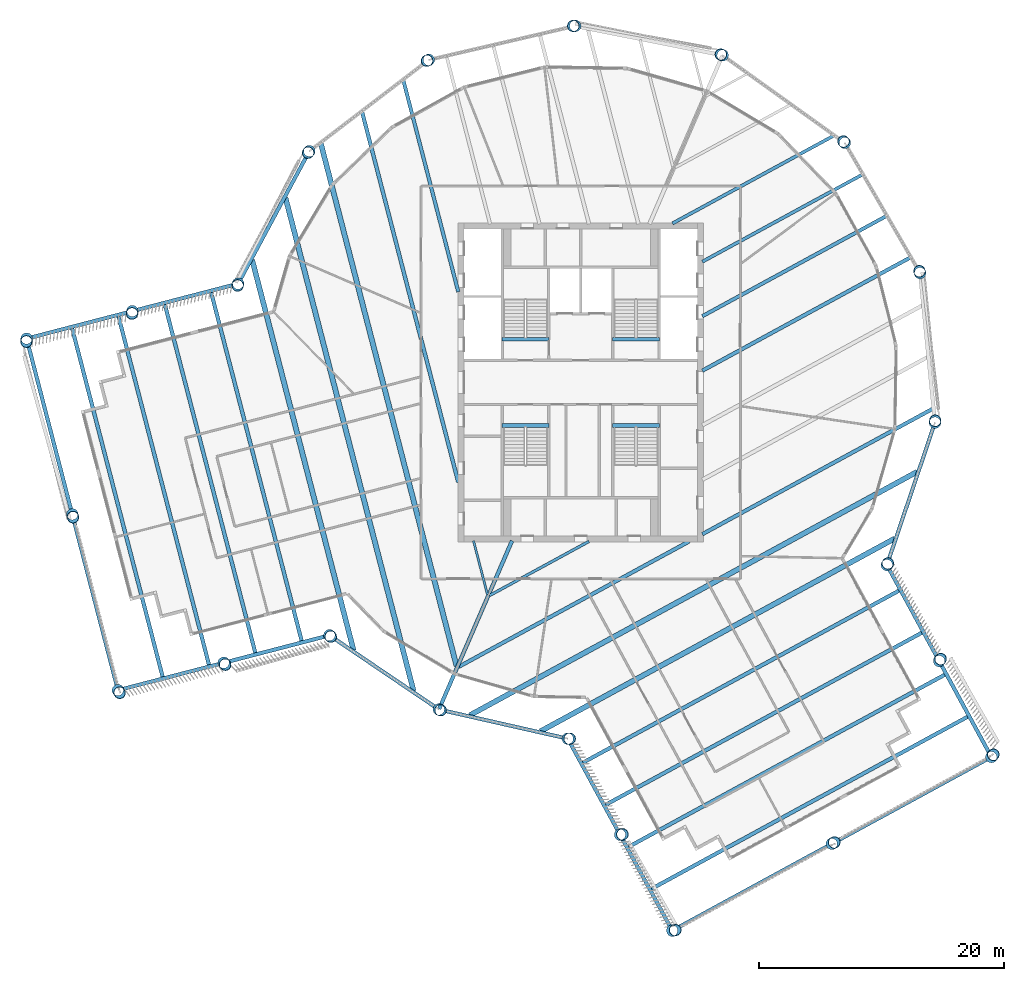
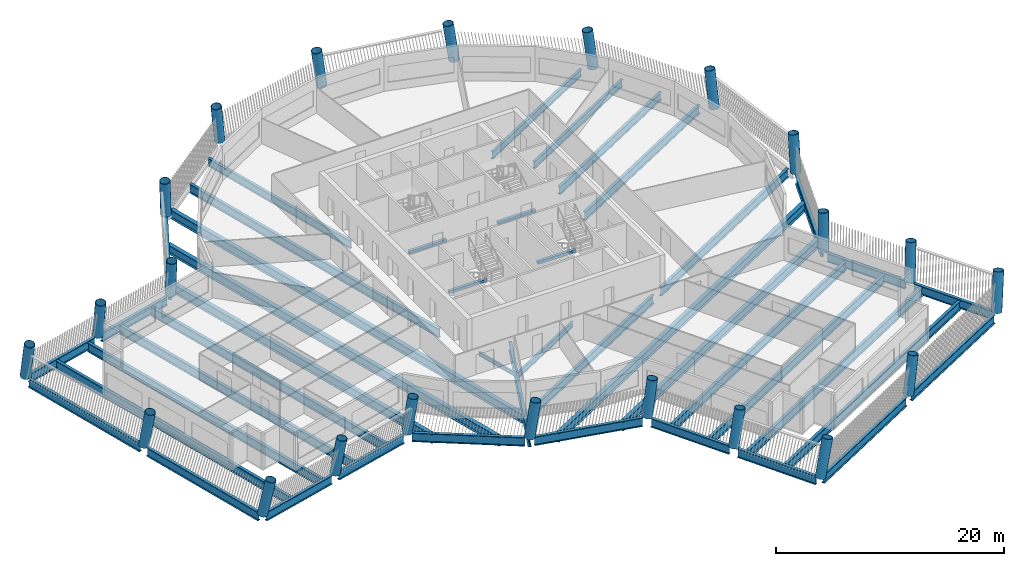
# One storey, part 1 of 14: 44 beams, 22 columns.
"""IFC4 building model written with IfcOpenShell, lengths in metres."""

from ifc_helpers import new_model, si_unit, direction, frame, origin, origin_2d, place, context, subcontext, project, spatial, rectangle, hollow_circle, i_section, extrude, material, material_profile, profile_set, type_object, element, save


model = new_model("IFC4")

# Units and contexts
model_context = context("Model", 3, precision=1e-05, world=origin(), true_north=direction((0.0, 1.0)))
body_context = subcontext(model_context, "Body", "Model", "MODEL_VIEW")
ifc_project = project(units=[si_unit("LENGTHUNIT", "METRE"), si_unit("AREAUNIT", "SQUARE_METRE"), si_unit("VOLUMEUNIT", "CUBIC_METRE"), si_unit("PLANEANGLEUNIT", "RADIAN"), si_unit("MASSUNIT", "GRAM", prefix="KILO")], contexts=[model_context])

# Site, building, storey
site_placement = place(None, origin())
site = spatial("IfcSite", under=ifc_project, at=site_placement, CompositionType="ELEMENT")
building_placement = place(site_placement, origin())
building = spatial("IfcBuilding", under=site, at=building_placement, Name="Tarsis Ring Headquarters", CompositionType="ELEMENT")
storey_placement = place(building_placement, frame((0.0, 0.0, 343.10009765625)))
storey = spatial("IfcBuildingStorey", under=building, at=storey_placement, Name="L81", CompositionType="ELEMENT", Elevation=343.10009765625)

# Columns
ifc_material_1 = material(Name="Structural steel S355", Category="steel")
ifc_material_profile_1 = material_profile(ifc_material_1, hollow_circle(Radius=0.482666015625, WallThickness=0.0400390625, at=origin_2d()), Name="CHS 965x40")
ifc_profile_set_1 = profile_set([ifc_material_profile_1], Name="Structural steel S355")
column_type = type_object("IfcColumnType", Name="XC Exo column CHS 965x40", PredefinedType="COLUMN", material=ifc_profile_set_1)
for number, where, z_axis, x_axis, name in (
    (1, (-11.554931640625, -26.6513671875, 0.0009765625), (0.123399581289, -0.052202740374, 0.990983055978), (0.389609764753, 0.920980038442, 0.0), "Exo column XC7 F1"),
    (2, (-1.049072265625, -29.029541015625, 0.0009765625), (0.13389066723, -0.003600212656, 0.990989569924), (0.026879482394, 0.999638681438, 0.0), "Exo column XC7 AK"),
):
    element("IfcColumn", number, at=place(storey_placement, frame(where, z_axis=z_axis, x_axis=x_axis)), inside=storey, type_object=column_type, Name=name, PredefinedType="COLUMN", context=body_context, shape_type="SweptSolid", body=[
        extrude(hollow_circle(Radius=0.482666015625, WallThickness=0.0400390625, at=origin_2d()), origin(), (0.0, 0.0, 1.0), 3.93310546875),
    ])
column_1_placement = place(storey_placement, frame((3.20703125, -36.8486328125, 0.001220703125), z_axis=(0.168840279837, 0.016297562661, 0.985508675434), x_axis=(-0.096079940004, 0.995373620873, 0.0)))
element("IfcColumn", 3, at=column_1_placement, inside=storey, type_object=column_type, Name="Exo column XC7 AI1", PredefinedType="COLUMN", context=body_context, shape_type="SweptSolid", body=[
    extrude(hollow_circle(Radius=0.482666015625, WallThickness=0.0400390625, at=origin_2d()), origin(), (0.0, 0.0, 1.0), 3.954833984375),
])
column_2_placement = place(storey_placement, frame((7.462890625, -44.66748046875, 0.00146484375), z_axis=(0.203152275104, 0.035861219353, 0.978490227885), x_axis=(-0.173836189214, 0.984774582998, 0.0)))
element("IfcColumn", 4, at=column_2_placement, inside=storey, type_object=column_type, Name="Exo column XC7 AT1", PredefinedType="COLUMN", context=body_context, shape_type="SweptSolid", body=[
    extrude(hollow_circle(Radius=0.482666015625, WallThickness=0.0400390625, at=origin_2d()), origin(), (0.0, 0.0, 1.0), 3.982666015625),
])
column_3_placement = place(storey_placement, frame((20.4619140625, -37.591796875, 0.00146484375), z_axis=(0.170746343535, 0.094927348241, 0.980731606876), x_axis=(-0.485909940911, 0.874008884007, 0.0)))
element("IfcColumn", 5, at=column_3_placement, inside=storey, type_object=column_type, Name="Exo column XC7 AT2", PredefinedType="COLUMN", context=body_context, shape_type="SweptSolid", body=[
    extrude(hollow_circle(Radius=0.482666015625, WallThickness=0.0400390625, at=origin_2d()), origin(), (0.0, 0.0, 1.0), 3.9736328125),
])
column_4_placement = place(storey_placement, frame((33.461181640625, -30.51611328125, 0.00146484375), z_axis=(0.137562349962, 0.15362355125, 0.978507232663), x_axis=(-0.744976906841, 0.667090254968, 0.0)))
element("IfcColumn", 6, at=column_4_placement, inside=storey, type_object=column_type, Name="Exo column XC7 AT3", PredefinedType="COLUMN", context=body_context, shape_type="SweptSolid", body=[
    extrude(hollow_circle(Radius=0.482666015625, WallThickness=0.0400390625, at=origin_2d()), origin(), (0.0, 0.0, 1.0), 3.982666015625),
])
column_5_placement = place(storey_placement, frame((29.205078125, -22.697265625, 0.001220703125), z_axis=(0.102847525136, 0.134887060277, 0.985508938338), x_axis=(-0.795214452159, 0.606328273362, 0.0)))
element("IfcColumn", 7, at=column_5_placement, inside=storey, type_object=column_type, Name="Exo column XC7 AO1", PredefinedType="COLUMN", context=body_context, shape_type="SweptSolid", body=[
    extrude(hollow_circle(Radius=0.482666015625, WallThickness=0.0400390625, at=origin_2d()), origin(), (0.0, 0.0, 1.0), 3.954833984375),
])
for number, where, z_axis, x_axis, name in (
    (8, (24.948974609375, -14.878173828125, 0.0009765625), (0.067597008088, 0.115641162597, 0.990988277434), (-0.863324749178, 0.504648766428, 0.0), "Exo column XC7 AJ"),
    (9, (28.86376953125, -3.27197265625, 0.0009765625), (0.013842108269, 0.13326908724, 0.99098322207), (-0.994649196737, 0.10331009356, 0.0), "Exo column XC7 R1"),
    (10, (27.646240234375, 8.916259765625, 0.0009765625), (-0.042271295288, 0.127124247796, 0.990985652377), (-0.948914712101, -0.315532675264, 0.0), "Exo column XC7 R2"),
    (11, (21.51318359375, 19.519287109375, 0.0009765625), (-0.09093597895, 0.09838465982, 0.990984917365), (-0.734359212273, -0.678761038473, 0.0), "Exo column XC7 R3"),
    (12, (11.554931640625, 26.6513671875, 0.0009765625), (-0.123399581289, 0.052202740374, 0.990983055978), (-0.389609764753, -0.920980038442, 0.0), "Exo column XC7 R4"),
    (13, (-0.457763671875, 29.044921875, 0.0009765625), (-0.133890782788, -0.003351925021, 0.990990425223), (0.025026929058, -0.999686777357, 0.0), "Exo column XC7 R5"),
    (14, (-12.388916015625, 26.274169921875, 0.0009765625), (-0.120668070545, -0.058285657532, 0.990980322144), (0.434943357864, -0.900457814364, 0.0), "Exo column XC7 R6"),
    (15, (-22.117431640625, 18.83154296875, 0.0009765625), (-0.085969842081, -0.102791377968, 0.990980887236), (0.767081014818, -0.641550244881, 0.0), "Exo column XC7 R7"),
    (16, (-27.91357421875, 8.040771484375, 0.0009765625), (-0.035877959732, -0.129048924366, 0.99098897427), (0.963458131829, -0.267858970754, 0.0), "Exo column XC7 BJ"),
):
    element("IfcColumn", number, at=place(storey_placement, frame(where, z_axis=z_axis, x_axis=x_axis)), inside=storey, type_object=column_type, Name=name, PredefinedType="COLUMN", context=body_context, shape_type="SweptSolid", body=[
        extrude(hollow_circle(Radius=0.482666015625, WallThickness=0.0400390625, at=origin_2d()), origin(), (0.0, 0.0, 1.0), 3.93310546875),
    ])
column_6_placement = place(storey_placement, frame((-36.52978515625, 5.802734375, 0.001220703125), z_axis=(-0.02512525341, -0.167789775841, 0.985502568624), x_axis=(0.988973686176, -0.148091350358, 0.0)))
element("IfcColumn", 17, at=column_6_placement, inside=storey, type_object=column_type, Name="Exo column XC7 BO1", PredefinedType="COLUMN", context=body_context, shape_type="SweptSolid", body=[
    extrude(hollow_circle(Radius=0.482666015625, WallThickness=0.0400390625, at=origin_2d()), origin(), (0.0, 0.0, 1.0), 3.954833984375),
])
column_7_placement = place(storey_placement, frame((-45.146240234375, 3.564697265625, 0.00146484375), z_axis=(-0.014344685278, -0.205729759793, 0.978503702568), x_axis=(0.997577979712, -0.069556986666, 0.0)))
element("IfcColumn", 18, at=column_7_placement, inside=storey, type_object=column_type, Name="Exo column XC7 BT3", PredefinedType="COLUMN", context=body_context, shape_type="SweptSolid", body=[
    extrude(hollow_circle(Radius=0.482666015625, WallThickness=0.0400390625, at=origin_2d()), origin(), (0.0, 0.0, 1.0), 3.982666015625),
])
column_8_placement = place(storey_placement, frame((-41.42529296875, -10.760009765625, 0.00146484375), z_axis=(0.050812343469, -0.188626232708, 0.980733526543), x_axis=(0.965579307987, 0.260108823357, 0.0)))
element("IfcColumn", 19, at=column_8_placement, inside=storey, type_object=column_type, Name="Exo column XC7 BT2", PredefinedType="COLUMN", context=body_context, shape_type="SweptSolid", body=[
    extrude(hollow_circle(Radius=0.482666015625, WallThickness=0.0400390625, at=origin_2d()), origin(), (0.0, 0.0, 1.0), 3.9736328125),
])
column_9_placement = place(storey_placement, frame((-37.70458984375, -25.084716796875, 0.00146484375), z_axis=(0.115799294365, -0.170664497359, 0.978500972287), x_axis=(0.827495502856, 0.561472343712, 0.0)))
element("IfcColumn", 20, at=column_9_placement, inside=storey, type_object=column_type, Name="Exo column XC7 BT1", PredefinedType="COLUMN", context=body_context, shape_type="SweptSolid", body=[
    extrude(hollow_circle(Radius=0.482666015625, WallThickness=0.0400390625, at=origin_2d()), origin(), (0.0, 0.0, 1.0), 3.982666015625),
])
column_10_placement = place(storey_placement, frame((-29.08837890625, -22.8466796875, 0.001220703125), z_axis=(0.10599605348, -0.132417900241, 0.985510190887), x_axis=(0.780691237117, 0.624916948313, 0.0)))
element("IfcColumn", 21, at=column_10_placement, inside=storey, type_object=column_type, Name="Exo column XC7 BI1", PredefinedType="COLUMN", context=body_context, shape_type="SweptSolid", body=[
    extrude(hollow_circle(Radius=0.482666015625, WallThickness=0.0400390625, at=origin_2d()), origin(), (0.0, 0.0, 1.0), 3.954833984375),
])
column_11_placement = place(storey_placement, frame((-20.47216796875, -20.6083984375, 0.0009765625), z_axis=(0.095962779232, -0.093604056327, 0.990973978287), x_axis=(0.698254414944, 0.715849685347, 0.0)))
element("IfcColumn", 22, at=column_11_placement, inside=storey, type_object=column_type, Name="Exo column XC7 BK", PredefinedType="COLUMN", context=body_context, shape_type="SweptSolid", body=[
    extrude(hollow_circle(Radius=0.482666015625, WallThickness=0.0400390625, at=origin_2d()), origin(), (0.0, 0.0, 1.0), 3.93310546875),
])

# Beams
ifc_material_profile_2 = material_profile(ifc_material_1, i_section(OverallWidth=0.177734375, OverallDepth=0.406494140625, WebThickness=0.0078125, FlangeThickness=0.0126953125, at=origin_2d()), Name="W16x40")
ifc_profile_set_2 = profile_set([ifc_material_profile_2], Name="Structural steel S355")
beam_type_1 = type_object("IfcBeamType", Name="FB Floor beam W16x40", PredefinedType="JOIST", material=ifc_profile_set_2)
beam_1_placement = place(storey_placement, frame((-8.73681640625, -12.9033203125, -0.36328125), z_axis=(0.251412786216, -0.967879956879, 0.0), x_axis=(0.967879956879, 0.251412786216, 0.0)))
element("IfcBeam", 23, at=beam_1_placement, inside=storey, type_object=beam_type_1, Name="Floor beam FB1", PredefinedType="JOIST", context=body_context, shape_type="SweptSolid", body=[
    extrude(i_section(OverallWidth=0.177734375, OverallDepth=0.406494140625, WebThickness=0.0078125, FlangeThickness=0.0126953125, at=origin_2d()), origin(), (0.0, 0.0, 1.0), 4.531005859375),
])
ifc_material_profile_3 = material_profile(ifc_material_1, i_section(OverallWidth=0.228271484375, OverallDepth=0.607177734375, WebThickness=0.01123046875, FlangeThickness=0.017333984375, at=origin_2d()), Name="W24x76")
ifc_profile_set_3 = profile_set([ifc_material_profile_3], Name="Structural steel S355")
beam_type_2 = type_object("IfcBeamType", Name="FB Floor beam W24x76", PredefinedType="JOIST", material=ifc_profile_set_3)
beam_2_placement = place(storey_placement, frame((-7.42626953125, -17.36328125, -0.463623046875), z_axis=(0.878309850917, 0.47809183823, 0.0), x_axis=(-0.47809183823, 0.878309850917, 0.0)))
element("IfcBeam", 24, at=beam_2_placement, inside=storey, type_object=beam_type_2, Name="Floor beam FB4", PredefinedType="JOIST", context=body_context, shape_type="SweptSolid", body=[
    extrude(i_section(OverallWidth=0.228271484375, OverallDepth=0.607177734375, WebThickness=0.01123046875, FlangeThickness=0.017333984375, at=origin_2d()), origin(), (0.0, 0.0, 1.0), 9.2265625),
])
ifc_material_profile_4 = material_profile(ifc_material_1, i_section(OverallWidth=0.2666015625, OverallDepth=0.7568359375, WebThickness=0.013916015625, FlangeThickness=0.019287109375, at=origin_2d()), Name="W30x108")
ifc_profile_set_4 = profile_set([ifc_material_profile_4], Name="Structural steel S355")
beam_type_3 = type_object("IfcBeamType", Name="FB Floor beam W30x108", PredefinedType="JOIST", material=ifc_profile_set_4)
beam_3_placement = place(storey_placement, frame((7.480224609375, 12.9521484375, -0.53857421875), z_axis=(0.87831186502, 0.478088138072, 0.0), x_axis=(-0.478088138072, 0.87831186502, 0.0)))
element("IfcBeam", 25, at=beam_3_placement, inside=storey, type_object=beam_type_3, Name="Floor beam FB6", PredefinedType="JOIST", context=body_context, shape_type="SweptSolid", body=[
    extrude(i_section(OverallWidth=0.2666015625, OverallDepth=0.7568359375, WebThickness=0.013916015625, FlangeThickness=0.019287109375, at=origin_2d()), origin(), (0.0, 0.0, 1.0), 14.937255859375),
])
beam_4_placement = place(storey_placement, frame((9.912109375, 9.835693359375, -0.53857421875), z_axis=(0.878319593497, 0.478073939552, 0.0), x_axis=(-0.478073939552, 0.878319593497, 0.0)))
element("IfcBeam", 26, at=beam_4_placement, inside=storey, type_object=beam_type_3, Name="Floor beam FB6", PredefinedType="JOIST", context=body_context, shape_type="SweptSolid", body=[
    extrude(i_section(OverallWidth=0.2666015625, OverallDepth=0.7568359375, WebThickness=0.013916015625, FlangeThickness=0.019287109375, at=origin_2d()), origin(), (0.0, 0.0, 1.0), 14.8408203125),
])
ifc_material_profile_5 = material_profile(ifc_material_1, i_section(OverallWidth=0.2919921875, OverallDepth=0.835693359375, WebThickness=0.013916015625, FlangeThickness=0.018798828125, at=origin_2d()), Name="W33x118")
ifc_profile_set_5 = profile_set([ifc_material_profile_5], Name="Structural steel S355")
beam_type_4 = type_object("IfcBeamType", Name="FB Floor beam W33x118", PredefinedType="JOIST", material=ifc_profile_set_5)
beam_5_placement = place(storey_placement, frame((9.912109375, 5.395263671875, -0.577880859375), z_axis=(0.878319509784, 0.47807409335, 0.0), x_axis=(-0.47807409335, 0.878319509784, 0.0)))
element("IfcBeam", 27, at=beam_5_placement, inside=storey, type_object=beam_type_4, Name="Floor beam FB7", PredefinedType="JOIST", context=body_context, shape_type="SweptSolid", body=[
    extrude(i_section(OverallWidth=0.2919921875, OverallDepth=0.835693359375, WebThickness=0.013916015625, FlangeThickness=0.018798828125, at=origin_2d()), origin(), (0.0, 0.0, 1.0), 17.064697265625),
])
beam_6_placement = place(storey_placement, frame((-14.45263671875, 24.616455078125, -0.577880859375), z_axis=(0.251397864112, -0.967883832864, 0.0), x_axis=(0.967883832864, 0.251397864112, 0.0)))
element("IfcBeam", 28, at=beam_6_placement, inside=storey, type_object=beam_type_4, Name="Floor beam FB7", PredefinedType="JOIST", context=body_context, shape_type="SweptSolid", body=[
    extrude(i_section(OverallWidth=0.2919921875, OverallDepth=0.835693359375, WebThickness=0.013916015625, FlangeThickness=0.018798828125, at=origin_2d()), origin(), (0.0, 0.0, 1.0), 17.8115234375),
])
ifc_material_profile_6 = material_profile(ifc_material_1, i_section(OverallWidth=0.3046875, OverallDepth=0.904296875, WebThickness=0.01513671875, FlangeThickness=0.02001953125, at=origin_2d()), Name="W36x135")
ifc_profile_set_6 = profile_set([ifc_material_profile_6], Name="Structural steel S355")
beam_type_5 = type_object("IfcBeamType", Name="FB Floor beam W36x135", PredefinedType="JOIST", material=ifc_profile_set_6)
beam_7_placement = place(storey_placement, frame((9.912109375, 0.955078125, -0.6123046875), z_axis=(0.878319445375, 0.478074211682, 0.0), x_axis=(-0.478074211682, 0.878319445375, 0.0)))
element("IfcBeam", 29, at=beam_7_placement, inside=storey, type_object=beam_type_5, Name="Floor beam FB8", PredefinedType="JOIST", context=body_context, shape_type="SweptSolid", body=[
    extrude(i_section(OverallWidth=0.3046875, OverallDepth=0.904296875, WebThickness=0.01513671875, FlangeThickness=0.02001953125, at=origin_2d()), origin(), (0.0, 0.0, 1.0), 19.288818359375),
])
ifc_material_profile_7 = material_profile(ifc_material_1, i_section(OverallWidth=0.3046875, OverallDepth=0.91943359375, WebThickness=0.017333984375, FlangeThickness=0.02783203125, at=origin_2d()), Name="W36x170")
ifc_profile_set_7 = profile_set([ifc_material_profile_7], Name="Structural steel S355")
beam_type_6 = type_object("IfcBeamType", Name="FB Floor beam W36x170", PredefinedType="JOIST", material=ifc_profile_set_7)
beam_8_placement = place(storey_placement, frame((-9.9462890625, -23.175048828125, -0.619873046875), z_axis=(0.878318904426, 0.478075205515, 0.0), x_axis=(-0.478075205515, 0.878318904426, 0.0)))
element("IfcBeam", 30, at=beam_8_placement, inside=storey, type_object=beam_type_6, Name="Floor beam FB9", PredefinedType="JOIST", context=body_context, shape_type="SweptSolid", body=[
    extrude(i_section(OverallWidth=0.3046875, OverallDepth=0.91943359375, WebThickness=0.017333984375, FlangeThickness=0.02783203125, at=origin_2d()), origin(), (0.0, 0.0, 1.0), 21.383544921875),
])
beam_9_placement = place(storey_placement, frame((9.912109375, -12.365966796875, -0.619873046875), z_axis=(0.878316415217, 0.478079778657, 0.0), x_axis=(-0.478079778657, 0.878316415217, 0.0)))
element("IfcBeam", 31, at=beam_9_placement, inside=storey, type_object=beam_type_6, Name="Floor beam FB9", PredefinedType="JOIST", context=body_context, shape_type="SweptSolid", body=[
    extrude(i_section(OverallWidth=0.3046875, OverallDepth=0.91943359375, WebThickness=0.017333984375, FlangeThickness=0.02783203125, at=origin_2d()), origin(), (0.0, 0.0, 1.0), 21.377197265625),
])
ifc_material_profile_8 = material_profile(ifc_material_1, i_section(OverallWidth=0.309814453125, OverallDepth=0.949951171875, WebThickness=0.0244140625, FlangeThickness=0.0439453125, at=origin_2d()), Name="W36x256")
ifc_profile_set_8 = profile_set([ifc_material_profile_8], Name="Structural steel S355")
beam_type_7 = type_object("IfcBeamType", Name="FB Floor beam W36x256", PredefinedType="JOIST", material=ifc_profile_set_8)
for number, where, z_axis, x_axis, name in (
    (32, (0.100830078125, -31.02734375, -0.635009765625), (0.878316025803, 0.478080494077, 0.0), (-0.478080494077, 0.878316025803, 0.0), "Floor beam FB11"),
    (33, (1.96533203125, -34.452880859375, -0.635009765625), (0.878316025803, 0.478080494077, 0.0), (-0.478080494077, 0.878316025803, 0.0), "Floor beam FB11"),
    (34, (3.829833984375, -37.878173828125, -0.635009765625), (0.878316025803, 0.478080494077, 0.0), (-0.478080494077, 0.878316025803, 0.0), "Floor beam FB11"),
    (35, (5.6943359375, -41.3037109375, -0.635009765625), (0.878316025803, 0.478080494077, 0.0), (-0.478080494077, 0.878316025803, 0.0), "Floor beam FB11"),
):
    element("IfcBeam", number, at=place(storey_placement, frame(where, z_axis=z_axis, x_axis=x_axis)), inside=storey, type_object=beam_type_7, Name=name, PredefinedType="JOIST", context=body_context, shape_type="SweptSolid", body=[
        extrude(i_section(OverallWidth=0.309814453125, OverallDepth=0.949951171875, WebThickness=0.0244140625, FlangeThickness=0.0439453125, at=origin_2d()), origin(), (0.0, 0.0, 1.0), 29.489990234375),
    ])
beam_10_placement = place(storey_placement, frame((-17.81396484375, 22.044921875, -0.635009765625), z_axis=(0.251391982415, -0.967885360555, 0.0), x_axis=(0.967885360555, 0.251391982415, 0.0)))
element("IfcBeam", 36, at=beam_10_placement, inside=storey, type_object=beam_type_7, Name="Floor beam FB11", PredefinedType="JOIST", context=body_context, shape_type="SweptSolid", body=[
    extrude(i_section(OverallWidth=0.309814453125, OverallDepth=0.949951171875, WebThickness=0.0244140625, FlangeThickness=0.0439453125, at=origin_2d()), origin(), (0.0, 0.0, 1.0), 31.182861328125),
])
for number, where, z_axis, x_axis, name in (
    (37, (-30.130126953125, 7.408447265625, -0.635009765625), (0.251392522567, -0.96788522026, 0.0), (0.96788522026, 0.251392522567, 0.0), "Floor beam FB11"),
    (38, (-33.90478515625, 6.427978515625, -0.635009765625), (0.251392522567, -0.96788522026, 0.0), (0.96788522026, 0.251392522567, 0.0), "Floor beam FB11"),
    (39, (-37.6796875, 5.447509765625, -0.635009765625), (0.251400278091, -0.967883205855, 0.0), (0.967883205855, 0.251400278091, 0.0), "Floor beam FB11"),
    (40, (-41.454345703125, 4.467041015625, -0.635009765625), (0.251392522567, -0.96788522026, 0.0), (0.96788522026, 0.251392522567, 0.0), "Floor beam FB11"),
):
    element("IfcBeam", number, at=place(storey_placement, frame(where, z_axis=z_axis, x_axis=x_axis)), inside=storey, type_object=beam_type_7, Name=name, PredefinedType="JOIST", context=body_context, shape_type="SweptSolid", body=[
        extrude(i_section(OverallWidth=0.309814453125, OverallDepth=0.949951171875, WebThickness=0.0244140625, FlangeThickness=0.0439453125, at=origin_2d()), origin(), (0.0, 0.0, 1.0), 29.489990234375),
    ])
beam_type_8 = type_object("IfcBeamType", Name="FB Floor beam W36x256 spine", PredefinedType="BEAM", material=ifc_profile_set_8)
beam_11_placement = place(storey_placement, frame((-5.5966796875, -12.908203125, -0.635009765625), z_axis=(-0.397784209441, -0.917479003966, 0.0), x_axis=(0.917479003966, -0.397784209441, 0.0)))
element("IfcBeam", 41, at=beam_11_placement, inside=storey, type_object=beam_type_8, Name="Floor beam SB11", PredefinedType="BEAM", context=body_context, shape_type="SweptSolid", body=[
    extrude(i_section(OverallWidth=0.309814453125, OverallDepth=0.949951171875, WebThickness=0.0244140625, FlangeThickness=0.0439453125, at=origin_2d()), origin(), (0.0, 0.0, 1.0), 14.921630859375),
])
ifc_material_profile_9 = material_profile(ifc_material_1, i_section(OverallWidth=0.42431640625, OverallDepth=0.947509765625, WebThickness=0.02392578125, FlangeThickness=0.042724609375, at=origin_2d()), Name="W36x302")
ifc_profile_set_9 = profile_set([ifc_material_profile_9], Name="Structural steel S355")
beam_type_9 = type_object("IfcBeamType", Name="FB Floor beam W36x302", PredefinedType="JOIST", material=ifc_profile_set_9)
beam_12_placement = place(storey_placement, frame((-9.049560546875, -27.12744140625, -0.6337890625), z_axis=(0.878314742913, 0.478082850959, 0.0), x_axis=(-0.478082850959, 0.878314742913, 0.0)))
element("IfcBeam", 42, at=beam_12_placement, inside=storey, type_object=beam_type_9, Name="Floor beam FB12", PredefinedType="JOIST", context=body_context, shape_type="SweptSolid", body=[
    extrude(i_section(OverallWidth=0.42431640625, OverallDepth=0.947509765625, WebThickness=0.02392578125, FlangeThickness=0.042724609375, at=origin_2d()), origin(), (0.0, 0.0, 1.0), 41.523681640625),
])
beam_13_placement = place(storey_placement, frame((-3.2880859375, -28.431640625, -0.6337890625), z_axis=(0.878316684044, 0.478079284773, 0.0), x_axis=(-0.478079284773, 0.878316684044, 0.0)))
element("IfcBeam", 43, at=beam_13_placement, inside=storey, type_object=beam_type_9, Name="Floor beam FB12", PredefinedType="JOIST", context=body_context, shape_type="SweptSolid", body=[
    extrude(i_section(OverallWidth=0.42431640625, OverallDepth=0.947509765625, WebThickness=0.02392578125, FlangeThickness=0.042724609375, at=origin_2d()), origin(), (0.0, 0.0, 1.0), 32.87548828125),
])
beam_14_placement = place(storey_placement, frame((-21.175537109375, 19.473388671875, -0.6337890625), z_axis=(0.251395528292, -0.967884439566, 0.0), x_axis=(0.967884439566, 0.251395528292, 0.0)))
element("IfcBeam", 44, at=beam_14_placement, inside=storey, type_object=beam_type_9, Name="Floor beam FB12", PredefinedType="JOIST", context=body_context, shape_type="SweptSolid", body=[
    extrude(i_section(OverallWidth=0.42431640625, OverallDepth=0.947509765625, WebThickness=0.02392578125, FlangeThickness=0.042724609375, at=origin_2d()), origin(), (0.0, 0.0, 1.0), 43.98681640625),
])
beam_15_placement = place(storey_placement, frame((-24.053955078125, 15.04248046875, -0.6337890625), z_axis=(0.251390424394, -0.967885765224, 0.0), x_axis=(0.967885765224, 0.251390424394, 0.0)))
element("IfcBeam", 45, at=beam_15_placement, inside=storey, type_object=beam_type_9, Name="Floor beam FB12", PredefinedType="JOIST", context=body_context, shape_type="SweptSolid", body=[
    extrude(i_section(OverallWidth=0.42431640625, OverallDepth=0.947509765625, WebThickness=0.02392578125, FlangeThickness=0.042724609375, at=origin_2d()), origin(), (0.0, 0.0, 1.0), 41.52392578125),
])
beam_16_placement = place(storey_placement, frame((-26.77001953125, 9.98583984375, -0.6337890625), z_axis=(0.251393304828, -0.96788501708, 0.0), x_axis=(0.96788501708, 0.251393304828, 0.0)))
element("IfcBeam", 46, at=beam_16_placement, inside=storey, type_object=beam_type_9, Name="Floor beam FB12", PredefinedType="JOIST", context=body_context, shape_type="SweptSolid", body=[
    extrude(i_section(OverallWidth=0.42431640625, OverallDepth=0.947509765625, WebThickness=0.02392578125, FlangeThickness=0.042724609375, at=origin_2d()), origin(), (0.0, 0.0, 1.0), 32.87548828125),
])
ifc_material_2 = material(Name="Concrete C40/50", Category="concrete")
ifc_material_profile_10 = material_profile(ifc_material_2, rectangle(XDim=0.300048828125, YDim=0.300048828125, at=origin_2d()), Name="Stair head beam 300x300 C40/50")
ifc_profile_set_10 = profile_set([ifc_material_profile_10], Name="Concrete C40/50")
beam_type_10 = type_object("IfcBeamType", Name="Stair head beam 300x300 C40/50", PredefinedType="BEAM", material=ifc_profile_set_10)
for number, where, z_axis, x_axis, name in (
    (47, (-6.39990234375, 3.510009765625, -0.31005859375), (1.0, 0.0, 0.0), (0.0, 1.0, 0.0), "Stair head beam L81 Firefighting stair"),
    (48, (2.60009765625, 3.510009765625, -0.31005859375), (1.0, 0.0, 0.0), (0.0, 1.0, 0.0), "Stair head beam L81 Exit stair B"),
    (49, (-6.39990234375, -3.510009765625, -0.31005859375), (1.0, 0.0, 0.0), (0.0, 1.0, 0.0), "Stair head beam L81 Exit stair C"),
    (50, (2.60009765625, -3.510009765625, -0.31005859375), (1.0, 0.0, 0.0), (0.0, 1.0, 0.0), "Stair head beam L81 Exit stair D"),
):
    element("IfcBeam", number, at=place(storey_placement, frame(where, z_axis=z_axis, x_axis=x_axis)), inside=storey, type_object=beam_type_10, Name=name, PredefinedType="BEAM", context=body_context, shape_type="SweptSolid", body=[
        extrude(rectangle(XDim=0.300048828125, YDim=0.300048828125, at=origin_2d()), origin(), (0.0, 0.0, 1.0), 3.7998046875),
    ])
ifc_material_profile_11 = material_profile(ifc_material_1, i_section(OverallWidth=0.309814453125, OverallDepth=0.93212890625, WebThickness=0.02099609375, FlangeThickness=0.034423828125, at=origin_2d()), Name="W36x210")
ifc_profile_set_11 = profile_set([ifc_material_profile_11], Name="Structural steel S355")
beam_type_11 = type_object("IfcBeamType", Name="XG Ring girder W36x210", PredefinedType="BEAM", material=ifc_profile_set_11)
beam_17_placement = place(storey_placement, frame((-11.131591796875, -26.747314453125, -0.46630859375), z_axis=(0.975326220774, -0.220768573556, 0.0), x_axis=(0.220768573556, 0.975326220774, 0.0)))
element("IfcBeam", 51, at=beam_17_placement, inside=storey, type_object=beam_type_11, Name="Ring girder XG3", PredefinedType="BEAM", context=body_context, shape_type="SweptSolid", body=[
    extrude(i_section(OverallWidth=0.309814453125, OverallDepth=0.93212890625, WebThickness=0.02099609375, FlangeThickness=0.034423828125, at=origin_2d()), origin(), (0.0, 0.0, 1.0), 9.903076171875),
])
beam_18_placement = place(storey_placement, frame((-0.841552734375, -29.4111328125, -0.46630859375), z_axis=(0.478074756303, -0.878319148935, 0.0), x_axis=(0.878319148935, 0.478074756303, 0.0)))
element("IfcBeam", 52, at=beam_18_placement, inside=storey, type_object=beam_type_11, Name="Ring girder XG3", PredefinedType="BEAM", context=body_context, shape_type="SweptSolid", body=[
    extrude(i_section(OverallWidth=0.309814453125, OverallDepth=0.93212890625, WebThickness=0.02099609375, FlangeThickness=0.034423828125, at=origin_2d()), origin(), (0.0, 0.0, 1.0), 8.033447265625),
])
beam_19_placement = place(storey_placement, frame((3.414306640625, -37.22998046875, -0.46630859375), z_axis=(0.478085439414, -0.878313333965, 0.0), x_axis=(0.878313333965, 0.478085439414, 0.0)))
element("IfcBeam", 53, at=beam_19_placement, inside=storey, type_object=beam_type_11, Name="Ring girder XG3", PredefinedType="BEAM", context=body_context, shape_type="SweptSolid", body=[
    extrude(i_section(OverallWidth=0.309814453125, OverallDepth=0.93212890625, WebThickness=0.02099609375, FlangeThickness=0.034423828125, at=origin_2d()), origin(), (0.0, 0.0, 1.0), 8.03369140625),
])
beam_20_placement = place(storey_placement, frame((7.84423828125, -44.4599609375, -0.46630859375), z_axis=(0.878312480005, 0.478087008261, 0.0), x_axis=(-0.478087008261, 0.878312480005, 0.0)))
element("IfcBeam", 54, at=beam_20_placement, inside=storey, type_object=beam_type_11, Name="Ring girder XG3", PredefinedType="BEAM", context=body_context, shape_type="SweptSolid", body=[
    extrude(i_section(OverallWidth=0.309814453125, OverallDepth=0.93212890625, WebThickness=0.02099609375, FlangeThickness=0.034423828125, at=origin_2d()), origin(), (0.0, 0.0, 1.0), 13.931396484375),
])
beam_21_placement = place(storey_placement, frame((20.84326171875, -37.38427734375, -0.46630859375), z_axis=(0.878319838689, 0.478073489085, 0.0), x_axis=(-0.478073489085, 0.878319838689, 0.0)))
element("IfcBeam", 55, at=beam_21_placement, inside=storey, type_object=beam_type_11, Name="Ring girder XG3", PredefinedType="BEAM", context=body_context, shape_type="SweptSolid", body=[
    extrude(i_section(OverallWidth=0.309814453125, OverallDepth=0.93212890625, WebThickness=0.02099609375, FlangeThickness=0.034423828125, at=origin_2d()), origin(), (0.0, 0.0, 1.0), 13.93115234375),
])
beam_22_placement = place(storey_placement, frame((33.253173828125, -30.135009765625, -0.46630859375), z_axis=(-0.478061995506, 0.878326094598, 0.0), x_axis=(-0.878326094598, -0.478061995506, 0.0)))
element("IfcBeam", 56, at=beam_22_placement, inside=storey, type_object=beam_type_11, Name="Ring girder XG3", PredefinedType="BEAM", context=body_context, shape_type="SweptSolid", body=[
    extrude(i_section(OverallWidth=0.309814453125, OverallDepth=0.93212890625, WebThickness=0.02099609375, FlangeThickness=0.034423828125, at=origin_2d()), origin(), (0.0, 0.0, 1.0), 8.03369140625),
])
beam_23_placement = place(storey_placement, frame((28.997314453125, -22.31591796875, -0.46630859375), z_axis=(-0.478098200465, 0.878306387721, 0.0), x_axis=(-0.878306387721, -0.478098200465, 0.0)))
element("IfcBeam", 57, at=beam_23_placement, inside=storey, type_object=beam_type_11, Name="Ring girder XG3", PredefinedType="BEAM", context=body_context, shape_type="SweptSolid", body=[
    extrude(i_section(OverallWidth=0.309814453125, OverallDepth=0.93212890625, WebThickness=0.02099609375, FlangeThickness=0.034423828125, at=origin_2d()), origin(), (0.0, 0.0, 1.0), 8.033447265625),
])
beam_24_placement = place(storey_placement, frame((25.087646484375, -14.466796875, -0.46630859375), z_axis=(0.319611081427, 0.947548814906, 0.0), x_axis=(-0.947548814906, 0.319611081427, 0.0)))
element("IfcBeam", 58, at=beam_24_placement, inside=storey, type_object=beam_type_11, Name="Ring girder XG3", PredefinedType="BEAM", context=body_context, shape_type="SweptSolid", body=[
    extrude(i_section(OverallWidth=0.309814453125, OverallDepth=0.93212890625, WebThickness=0.02099609375, FlangeThickness=0.034423828125, at=origin_2d()), origin(), (0.0, 0.0, 1.0), 11.380126953125),
])
beam_25_placement = place(storey_placement, frame((-22.322998046875, 18.44921875, -0.46630859375), z_axis=(-0.473186147631, -0.88096246781, 0.0), x_axis=(0.88096246781, -0.473186147631, 0.0)))
element("IfcBeam", 59, at=beam_25_placement, inside=storey, type_object=beam_type_11, Name="Ring girder XG3", PredefinedType="BEAM", context=body_context, shape_type="SweptSolid", body=[
    extrude(i_section(OverallWidth=0.309814453125, OverallDepth=0.93212890625, WebThickness=0.02099609375, FlangeThickness=0.034423828125, at=origin_2d()), origin(), (0.0, 0.0, 1.0), 11.38037109375),
])
for number, where, z_axis, x_axis, name in (
    (60, (-28.333740234375, 7.931884765625, -0.46630859375), (-0.967879765449, -0.251413523174, 0.0), (0.251413523174, -0.967879765449, 0.0), "Ring girder XG3"),
    (61, (-36.9501953125, 5.69384765625, -0.46630859375), (-0.967887160044, -0.251385054095, 0.0), (0.251385054095, -0.967887160044, 0.0), "Ring girder XG3"),
):
    element("IfcBeam", number, at=place(storey_placement, frame(where, z_axis=z_axis, x_axis=x_axis)), inside=storey, type_object=beam_type_11, Name=name, PredefinedType="BEAM", context=body_context, shape_type="SweptSolid", body=[
        extrude(i_section(OverallWidth=0.309814453125, OverallDepth=0.93212890625, WebThickness=0.02099609375, FlangeThickness=0.034423828125, at=origin_2d()), origin(), (0.0, 0.0, 1.0), 8.03369140625),
    ])
for number, where, z_axis, x_axis, name in (
    (62, (-45.036865234375, 3.144775390625, -0.46630859375), (0.251386638105, -0.967886748635, 0.0), (0.967886748635, 0.251386638105, 0.0), "Ring girder XG3"),
    (63, (-41.316162109375, -11.179931640625, -0.46630859375), (0.251386638105, -0.967886748635, 0.0), (0.967886748635, 0.251386638105, 0.0), "Ring girder XG3"),
):
    element("IfcBeam", number, at=place(storey_placement, frame(where, z_axis=z_axis, x_axis=x_axis)), inside=storey, type_object=beam_type_11, Name=name, PredefinedType="BEAM", context=body_context, shape_type="SweptSolid", body=[
        extrude(i_section(OverallWidth=0.309814453125, OverallDepth=0.93212890625, WebThickness=0.02099609375, FlangeThickness=0.034423828125, at=origin_2d()), origin(), (0.0, 0.0, 1.0), 13.931396484375),
    ])
for number, where, z_axis, x_axis, name in (
    (64, (-37.284423828125, -24.97509765625, -0.46630859375), (0.967887160044, 0.251385054095, 0.0), (-0.251385054095, 0.967887160044, 0.0), "Ring girder XG3"),
    (65, (-28.668212890625, -22.7373046875, -0.46630859375), (0.967879765449, 0.251413523174, 0.0), (-0.251413523174, 0.967879765449, 0.0), "Ring girder XG3"),
):
    element("IfcBeam", number, at=place(storey_placement, frame(where, z_axis=z_axis, x_axis=x_axis)), inside=storey, type_object=beam_type_11, Name=name, PredefinedType="BEAM", context=body_context, shape_type="SweptSolid", body=[
        extrude(i_section(OverallWidth=0.309814453125, OverallDepth=0.93212890625, WebThickness=0.02099609375, FlangeThickness=0.034423828125, at=origin_2d()), origin(), (0.0, 0.0, 1.0), 8.03369140625),
    ])
beam_26_placement = place(storey_placement, frame((-20.112548828125, -20.85205078125, -0.46630859375), z_axis=(0.827808631489, -0.561010578896, 0.0), x_axis=(0.561010578896, 0.827808631489, 0.0)))
element("IfcBeam", 66, at=beam_26_placement, inside=storey, type_object=beam_type_11, Name="Ring girder XG3", PredefinedType="BEAM", context=body_context, shape_type="SweptSolid", body=[
    extrude(i_section(OverallWidth=0.309814453125, OverallDepth=0.93212890625, WebThickness=0.02099609375, FlangeThickness=0.034423828125, at=origin_2d()), origin(), (0.0, 0.0, 1.0), 9.903076171875),
])

save(model, "model.ifc")
